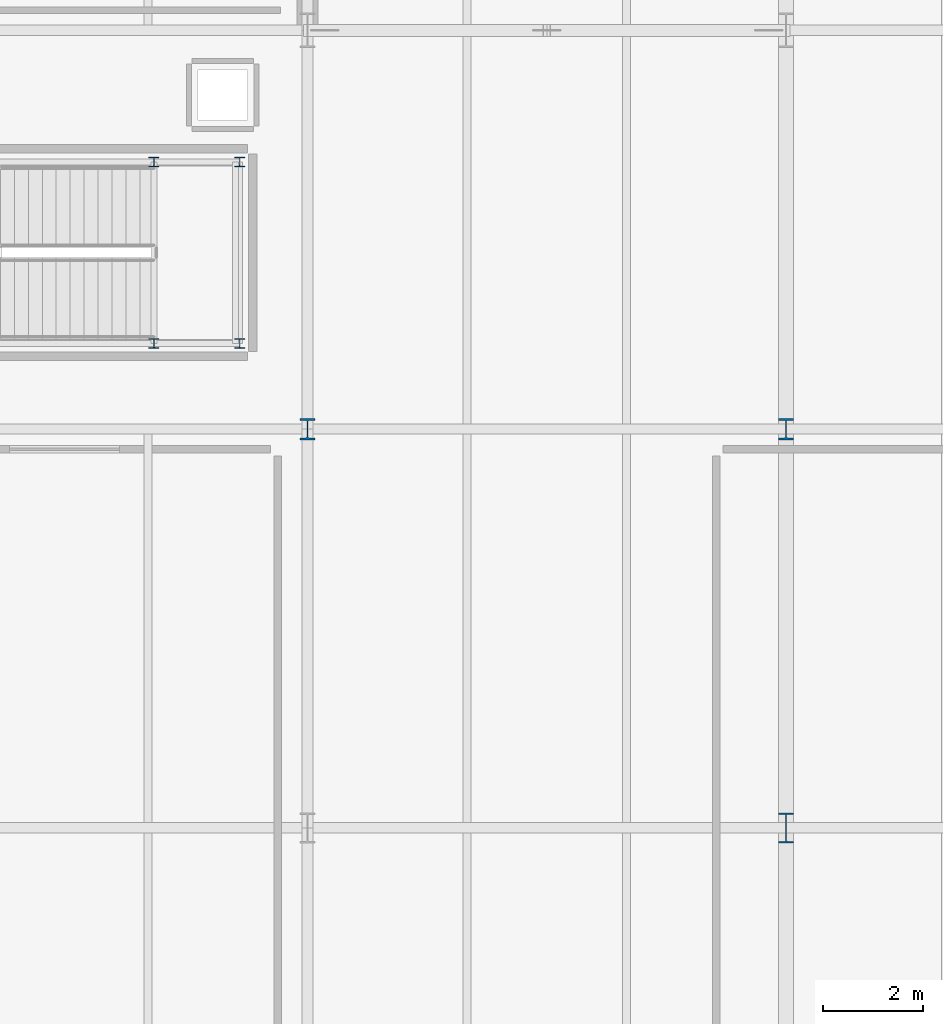
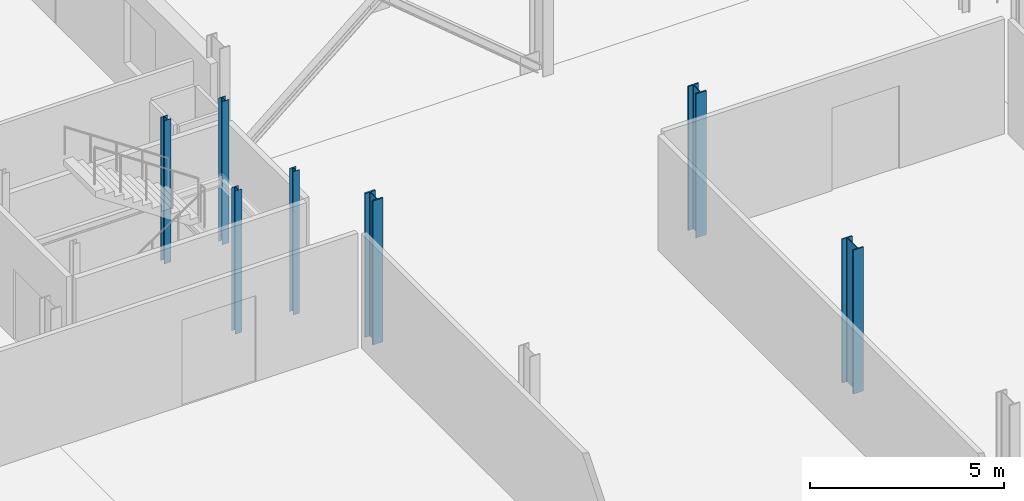
# One storey, part 13 of 78: 7 columns.
"""IFC4 building model written with IfcOpenShell, lengths in metres."""

from ifc_helpers import new_model, si_unit, direction, frame, origin, origin_2d, place, context, subcontext, project, spatial, i_section, extrude, material, material_profile, profile_set, type_object, element, save


model = new_model("IFC4")

# Units and contexts
model_context = context("Model", 3, precision=1e-05, world=origin(), true_north=direction((0.0, 1.0)))
body_context = subcontext(model_context, "Body", "Model", "MODEL_VIEW")
ifc_project = project(units=[si_unit("LENGTHUNIT", "METRE"), si_unit("AREAUNIT", "SQUARE_METRE"), si_unit("VOLUMEUNIT", "CUBIC_METRE"), si_unit("PLANEANGLEUNIT", "RADIAN"), si_unit("MASSUNIT", "GRAM", prefix="KILO")], contexts=[model_context])

# Site, building, storey
site_placement = place(None, origin())
site = spatial("IfcSite", under=ifc_project, at=site_placement, CompositionType="ELEMENT")
building_placement = place(site_placement, origin())
building = spatial("IfcBuilding", under=site, at=building_placement, Name="Alderhovde Museum", CompositionType="ELEMENT")
storey_placement = place(building_placement, origin())
storey = spatial("IfcBuildingStorey", under=building, at=storey_placement, Name="L00", CompositionType="ELEMENT", Elevation=0.0)

# Columns
ifc_material_1 = material(Name="Steel S355J2", Category="steel")
ifc_material_profile_1 = material_profile(ifc_material_1, i_section(OverallWidth=0.199951171875, OverallDepth=0.18994140625, WebThickness=0.006591796875, FlangeThickness=0.010009765625, FilletRadius=0.01806640625, at=origin_2d()), Name="HEA 200")
ifc_profile_set_1 = profile_set([ifc_material_profile_1], Name="Steel S355J2")
column_type_1 = type_object("IfcColumnType", Name="COL-HEA200", PredefinedType="COLUMN", material=ifc_profile_set_1)
for number, where, z_axis, x_axis, name in (
    (1, (56.239990234375, 73.719970703125, 0.0), (0.0, 0.0, 1.0), (1.0, 0.0, 0.0), "L00 Stair ST6 Shaft Column 2"),
    (2, (56.239990234375, 77.360107421875, 0.0), (0.0, 0.0, 1.0), (1.0, 0.0, 0.0), "L00 Stair ST6 Shaft Column 3"),
    (3, (54.52001953125, 73.719970703125, 0.0), (0.0, 0.0, 1.0), (1.0, 0.0, 0.0), "L00 Stair ST6 Shaft Column 5"),
    (4, (54.52001953125, 77.360107421875, 0.0), (0.0, 0.0, 1.0), (1.0, 0.0, 0.0), "L00 Stair ST6 Shaft Column 6"),
):
    element("IfcColumn", number, at=place(storey_placement, frame(where, z_axis=z_axis, x_axis=x_axis)), inside=storey, type_object=column_type_1, Name=name, PredefinedType="COLUMN", context=body_context, shape_type="SweptSolid", body=[
        extrude(i_section(OverallWidth=0.199951171875, OverallDepth=0.18994140625, WebThickness=0.006591796875, FlangeThickness=0.010009765625, FilletRadius=0.01806640625, at=origin_2d()), origin(), (0.0, 0.0, 1.0), 4.5),
    ])
ifc_material_2 = material(Name="Steel S355J2", Category="steel")
ifc_material_profile_2 = material_profile(ifc_material_2, i_section(OverallWidth=0.300048828125, OverallDepth=0.60009765625, WebThickness=0.015380859375, FlangeThickness=0.030029296875, FilletRadius=0.027099609375, at=origin_2d()), Name="HEB 600")
ifc_profile_set_2 = profile_set([ifc_material_profile_2], Name="Steel S355J2")
column_type_2 = type_object("IfcColumnType", Name="COL-HEB600", PredefinedType="COLUMN", material=ifc_profile_set_2)
column_placement = place(storey_placement, frame((67.199951171875, 64.0, -0.280029296875), z_axis=(0.0, 0.0, 1.0), x_axis=(1.0, 0.0, 0.0)))
element("IfcColumn", 5, at=column_placement, inside=storey, type_object=column_type_2, Name="L00 Column (67.2, 64.0)", PredefinedType="COLUMN", context=body_context, shape_type="SweptSolid", body=[
    extrude(i_section(OverallWidth=0.300048828125, OverallDepth=0.60009765625, WebThickness=0.015380859375, FlangeThickness=0.030029296875, FilletRadius=0.027099609375, at=origin_2d()), origin(), (0.0, 0.0, 1.0), 4.52001953125),
])
ifc_material_3 = material(Name="Steel S355J2", Category="steel")
ifc_material_profile_3 = material_profile(ifc_material_3, i_section(OverallWidth=0.306884765625, OverallDepth=0.431884765625, WebThickness=0.02099609375, FlangeThickness=0.0400390625, FilletRadius=0.027099609375, at=origin_2d()), Name="HEM 400")
ifc_profile_set_3 = profile_set([ifc_material_profile_3], Name="Steel S355J2")
column_type_3 = type_object("IfcColumnType", Name="COL-HEM400", PredefinedType="COLUMN", material=ifc_profile_set_3)
for number, where, z_axis, x_axis, name in (
    (6, (57.60009765625, 72.0, -0.280029296875), (0.0, 0.0, 1.0), (1.0, 0.0, 0.0), "L00 Column (57.6, 72.0)"),
    (7, (67.199951171875, 72.0, -0.280029296875), (0.0, 0.0, 1.0), (1.0, 0.0, 0.0), "L00 Column (67.2, 72.0)"),
):
    element("IfcColumn", number, at=place(storey_placement, frame(where, z_axis=z_axis, x_axis=x_axis)), inside=storey, type_object=column_type_3, Name=name, PredefinedType="COLUMN", context=body_context, shape_type="SweptSolid", body=[
        extrude(i_section(OverallWidth=0.306884765625, OverallDepth=0.431884765625, WebThickness=0.02099609375, FlangeThickness=0.0400390625, FilletRadius=0.027099609375, at=origin_2d()), origin(), (0.0, 0.0, 1.0), 4.52001953125),
    ])

save(model, "model.ifc")
